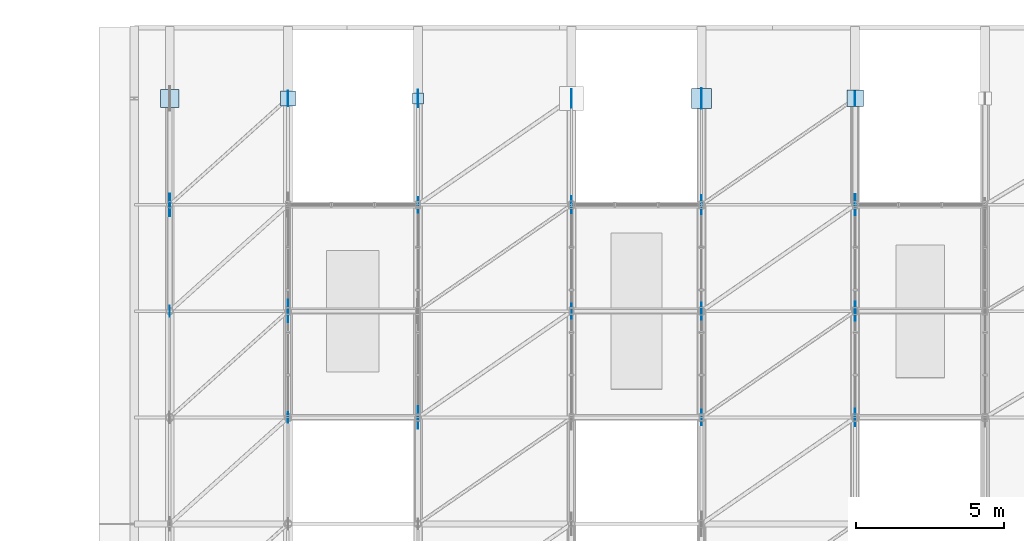
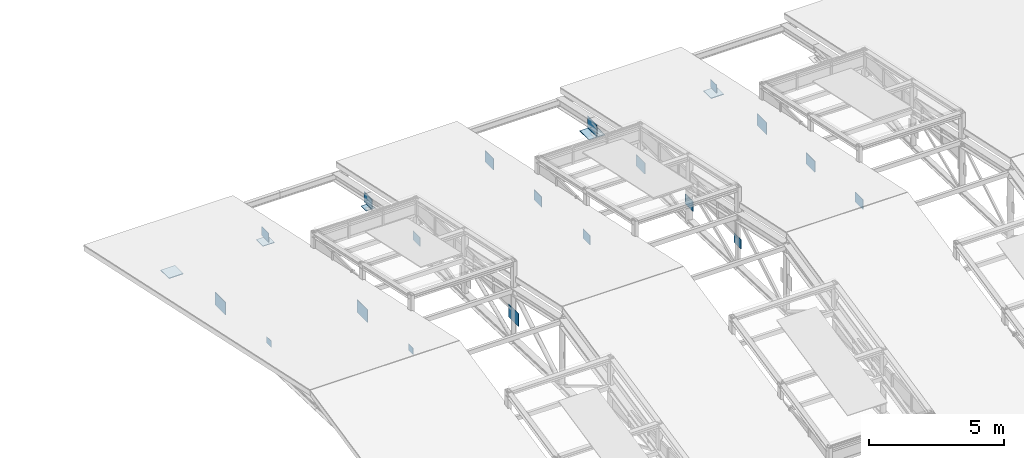
# One storey, part 87 of 124: 24 plates.
"""IFC4 building model written with IfcOpenShell, lengths in metres."""

from ifc_helpers import new_model, si_unit, direction, frame, origin, origin_2d, place, context, subcontext, project, spatial, rectangle, extrude, material, layer, layer_set, type_object, element, save


model = new_model("IFC4")

# Units and contexts
model_context = context("Model", 3, precision=1e-05, world=origin(), true_north=direction((0.0, 1.0)))
body_context = subcontext(model_context, "Body", "Model", "MODEL_VIEW")
ifc_project = project(units=[si_unit("LENGTHUNIT", "METRE"), si_unit("AREAUNIT", "SQUARE_METRE"), si_unit("VOLUMEUNIT", "CUBIC_METRE"), si_unit("PLANEANGLEUNIT", "RADIAN"), si_unit("MASSUNIT", "GRAM", prefix="KILO"), si_unit("THERMODYNAMICTEMPERATUREUNIT", "KELVIN"), si_unit("POWERUNIT", "WATT")], contexts=[model_context])

# Site, building, storey
site_placement = place(None, origin())
site = spatial("IfcSite", under=ifc_project, at=site_placement, CompositionType="ELEMENT")
building_placement = place(site_placement, origin())
building = spatial("IfcBuilding", under=site, at=building_placement, Name="Tavuni Mirador Residences", CompositionType="ELEMENT")
storey_placement = place(building_placement, frame((0.0, 0.0, 7.64990234375)))
storey = spatial("IfcBuildingStorey", under=building, at=storey_placement, Name="L02", CompositionType="ELEMENT", Elevation=7.64990234375)

# Plates
ifc_material = material(Name="Structural steel S355", Category="steel")
ifc_layer_1 = layer(ifc_material, 0.028076171875, Name="Structural steel S355", Category="steel")
ifc_layer_set_1 = layer_set([ifc_layer_1], Name="Structural steel S355")
plate_type_1 = type_object("IfcPlateType", Name="PLT-BP01", PredefinedType="USERDEFINED", material=ifc_layer_set_1)
plate_1_placement = place(storey_placement, frame((58.800048828125, 100.800048828125, -0.65380859375), z_axis=(0.0, 0.0, 1.0), x_axis=(1.0, 0.0, 0.0)))
element("IfcPlate", 1, at=plate_1_placement, inside=storey, type_object=plate_type_1, Name="TR-5-BP-N", ObjectType="BASE PLATE", PredefinedType="USERDEFINED", context=body_context, shape_type="SweptSolid", body=[
    extrude(rectangle(XDim=0.679931640625, YDim=0.679931640625, at=origin_2d()), origin(), (0.0, 0.0, 1.0), 0.028076171875),
])
ifc_layer_2 = layer(ifc_material, 0.02587890625, Name="Structural steel S355", Category="steel")
ifc_layer_set_2 = layer_set([ifc_layer_2], Name="Structural steel S355")
plate_type_2 = type_object("IfcPlateType", Name="PLT-BP02", PredefinedType="USERDEFINED", material=ifc_layer_set_2)
plate_2_placement = place(storey_placement, frame((40.800048828125, 100.800048828125, -0.65283203125), z_axis=(0.0, 0.0, 1.0), x_axis=(1.0, 0.0, 0.0)))
element("IfcPlate", 2, at=plate_2_placement, inside=storey, type_object=plate_type_2, Name="TR-1-BP-N", ObjectType="BASE PLATE", PredefinedType="USERDEFINED", context=body_context, shape_type="SweptSolid", body=[
    extrude(rectangle(XDim=0.6201171875, YDim=0.6201171875, at=origin_2d()), origin(), (0.0, 0.0, 1.0), 0.02587890625),
])
ifc_layer_3 = layer(ifc_material, 0.02490234375, Name="Structural steel S355", Category="steel")
ifc_layer_set_3 = layer_set([ifc_layer_3], Name="Structural steel S355")
plate_type_3 = type_object("IfcPlateType", Name="PLT-BP03", PredefinedType="USERDEFINED", material=ifc_layer_set_3)
plate_3_placement = place(storey_placement, frame((64.0, 100.800048828125, -0.65234375), z_axis=(0.0, 0.0, 1.0), x_axis=(1.0, 0.0, 0.0)))
element("IfcPlate", 3, at=plate_3_placement, inside=storey, type_object=plate_type_3, Name="TR-6-BP-N", ObjectType="BASE PLATE", PredefinedType="USERDEFINED", context=body_context, shape_type="SweptSolid", body=[
    extrude(rectangle(XDim=0.56005859375, YDim=0.56005859375, at=origin_2d()), origin(), (0.0, 0.0, 1.0), 0.02490234375),
])
ifc_layer_4 = layer(ifc_material, 0.02392578125, Name="Structural steel S355", Category="steel")
ifc_layer_set_4 = layer_set([ifc_layer_4], Name="Structural steel S355")
plate_type_4 = type_object("IfcPlateType", Name="PLT-BP04", PredefinedType="USERDEFINED", material=ifc_layer_set_4)
plate_4_placement = place(storey_placement, frame((44.800048828125, 100.800048828125, -0.65185546875), z_axis=(0.0, 0.0, 1.0), x_axis=(1.0, 0.0, 0.0)))
element("IfcPlate", 4, at=plate_4_placement, inside=storey, type_object=plate_type_4, Name="TR-2-BP-N", ObjectType="BASE PLATE", PredefinedType="USERDEFINED", context=body_context, shape_type="SweptSolid", body=[
    extrude(rectangle(XDim=0.5, YDim=0.5, at=origin_2d()), origin(), (0.0, 0.0, 1.0), 0.02392578125),
])
ifc_layer_5 = layer(ifc_material, 0.02001953125, Name="Structural steel S355", Category="steel")
ifc_layer_set_5 = layer_set([ifc_layer_5], Name="Structural steel S355")
plate_type_5 = type_object("IfcPlateType", Name="PLT-BP06", PredefinedType="USERDEFINED", material=ifc_layer_set_5)
plate_5_placement = place(storey_placement, frame((49.199951171875, 100.800048828125, -0.64990234375), z_axis=(0.0, 0.0, 1.0), x_axis=(1.0, 0.0, 0.0)))
element("IfcPlate", 5, at=plate_5_placement, inside=storey, type_object=plate_type_5, Name="TR-3-BP-N", ObjectType="BASE PLATE", PredefinedType="USERDEFINED", context=body_context, shape_type="SweptSolid", body=[
    extrude(rectangle(XDim=0.3798828125, YDim=0.3798828125, at=origin_2d()), origin(), (0.0, 0.0, 1.0), 0.02001953125),
])
ifc_layer_6 = layer(ifc_material, 0.02001953125, Name="Structural steel S355", Category="steel")
ifc_layer_set_6 = layer_set([ifc_layer_6], Name="Structural steel S355")
plate_type_6 = type_object("IfcPlateType", Name="PLT-GP01", PredefinedType="USERDEFINED", material=ifc_layer_set_6)
for number, where, z_axis, x_axis, name in (
    (6, (44.800048828125, 100.800048828125, -0.544921875), (0.0, 0.0, 1.0), (0.0, 1.0, 0.0), "TR-2-GP-08"),
    (7, (49.199951171875, 97.199951171875, -0.094970703125), (0.0, 0.0, 1.0), (0.0, 1.0, 0.0), "TR-3-GP-07"),
    (8, (54.39990234375, 93.60009765625, 0.355224609375), (0.0, 0.0, 1.0), (0.0, 1.0, 0.0), "TR-4-GP-06"),
    (9, (58.800048828125, 90.0, 0.80517578125), (0.0, 0.0, 1.0), (0.0, 1.0, 0.0), "TR-5-GP-05"),
):
    element("IfcPlate", number, at=place(storey_placement, frame(where, z_axis=z_axis, x_axis=x_axis)), inside=storey, type_object=plate_type_6, Name=name, ObjectType="GUSSET PLATE", PredefinedType="USERDEFINED", context=body_context, shape_type="SweptSolid", body=[
        extrude(rectangle(XDim=0.52001953125, YDim=0.02001953125, at=origin_2d()), origin(), (0.0, 0.0, 1.0), 0.419921875),
    ])
ifc_layer_7 = layer(ifc_material, 0.02197265625, Name="Structural steel S355", Category="steel")
ifc_layer_set_7 = layer_set([ifc_layer_7], Name="Structural steel S355")
plate_type_7 = type_object("IfcPlateType", Name="PLT-GP02", PredefinedType="USERDEFINED", material=ifc_layer_set_7)
for number, where, z_axis, x_axis, name in (
    (10, (49.199951171875, 100.800048828125, -0.56494140625), (0.0, 0.0, 1.0), (0.0, 1.0, 0.0), "TR-3-GP-08"),
    (11, (54.39990234375, 97.199951171875, -0.114990234375), (0.0, 0.0, 1.0), (0.0, 1.0, 0.0), "TR-4-GP-07"),
    (12, (58.800048828125, 93.60009765625, 0.335205078125), (0.0, 0.0, 1.0), (0.0, 1.0, 0.0), "TR-5-GP-06"),
    (13, (64.0, 90.0, 0.78515625), (0.0, 0.0, 1.0), (0.0, 1.0, 0.0), "TR-6-GP-05"),
):
    element("IfcPlate", number, at=place(storey_placement, frame(where, z_axis=z_axis, x_axis=x_axis)), inside=storey, type_object=plate_type_7, Name=name, ObjectType="GUSSET PLATE", PredefinedType="USERDEFINED", context=body_context, shape_type="SweptSolid", body=[
        extrude(rectangle(XDim=0.580078125, YDim=0.02197265625, at=origin_2d()), origin(), (0.0, 0.0, 1.0), 0.4599609375),
    ])
ifc_layer_8 = layer(ifc_material, 0.02392578125, Name="Structural steel S355", Category="steel")
ifc_layer_set_8 = layer_set([ifc_layer_8], Name="Structural steel S355")
plate_type_8 = type_object("IfcPlateType", Name="PLT-GP03", PredefinedType="USERDEFINED", material=ifc_layer_set_8)
for number, where, z_axis, x_axis, name in (
    (14, (54.39990234375, 100.800048828125, -0.5849609375), (0.0, 0.0, 1.0), (0.0, 1.0, 0.0), "TR-4-GP-08"),
    (15, (58.800048828125, 97.199951171875, -0.135009765625), (0.0, 0.0, 1.0), (0.0, 1.0, 0.0), "TR-5-GP-07"),
    (16, (64.0, 93.60009765625, 0.315185546875), (0.0, 0.0, 1.0), (0.0, 1.0, 0.0), "TR-6-GP-06"),
):
    element("IfcPlate", number, at=place(storey_placement, frame(where, z_axis=z_axis, x_axis=x_axis)), inside=storey, type_object=plate_type_8, Name=name, ObjectType="GUSSET PLATE", PredefinedType="USERDEFINED", context=body_context, shape_type="SweptSolid", body=[
        extrude(rectangle(XDim=0.639892578125, YDim=0.02392578125, at=origin_2d()), origin(), (0.0, 0.0, 1.0), 0.5),
    ])
ifc_layer_9 = layer(ifc_material, 0.02490234375, Name="Structural steel S355", Category="steel")
ifc_layer_set_9 = layer_set([ifc_layer_9], Name="Structural steel S355")
plate_type_9 = type_object("IfcPlateType", Name="PLT-GP04", PredefinedType="USERDEFINED", material=ifc_layer_set_9)
for number, where, z_axis, x_axis, name in (
    (17, (58.800048828125, 100.800048828125, -0.60498046875), (0.0, 0.0, 1.0), (0.0, 1.0, 0.0), "TR-5-GP-08"),
    (18, (64.0, 97.199951171875, -0.155029296875), (0.0, 0.0, 1.0), (0.0, 1.0, 0.0), "TR-6-GP-07"),
):
    element("IfcPlate", number, at=place(storey_placement, frame(where, z_axis=z_axis, x_axis=x_axis)), inside=storey, type_object=plate_type_9, Name=name, ObjectType="GUSSET PLATE", PredefinedType="USERDEFINED", context=body_context, shape_type="SweptSolid", body=[
        extrude(rectangle(XDim=0.699951171875, YDim=0.02490234375, at=origin_2d()), origin(), (0.0, 0.0, 1.0), 0.5400390625),
    ])
ifc_layer_10 = layer(ifc_material, 0.01806640625, Name="Structural steel S355", Category="steel")
ifc_layer_set_10 = layer_set([ifc_layer_10], Name="Structural steel S355")
plate_type_10 = type_object("IfcPlateType", Name="PLT-GP05", PredefinedType="USERDEFINED", material=ifc_layer_set_10)
plate_6_placement = place(storey_placement, frame((64.0, 100.800048828125, -0.51513671875), z_axis=(0.0, 0.0, 1.0), x_axis=(0.0, 1.0, 0.0)))
element("IfcPlate", 19, at=plate_6_placement, inside=storey, type_object=plate_type_10, Name="TR-6-GP-08", ObjectType="GUSSET PLATE", PredefinedType="USERDEFINED", context=body_context, shape_type="SweptSolid", body=[
    extrude(rectangle(XDim=0.4599609375, YDim=0.01806640625, at=origin_2d()), origin(), (0.0, 0.0, 1.0), 0.360107421875),
])
ifc_layer_11 = layer(ifc_material, 0.014892578125, Name="Structural steel S355", Category="steel")
ifc_layer_set_11 = layer_set([ifc_layer_11], Name="Structural steel S355")
plate_type_11 = type_object("IfcPlateType", Name="PLT-GP07", PredefinedType="USERDEFINED", material=ifc_layer_set_11)
for number, where, z_axis, x_axis, name in (
    (20, (40.800048828125, 93.60009765625, 0.42529296875), (0.0, 0.0, 1.0), (0.0, 1.0, 0.0), "TR-1-GP-06"),
    (21, (44.800048828125, 90.0, 0.875), (0.0, 0.0, 1.0), (0.0, 1.0, 0.0), "TR-2-GP-05"),
):
    element("IfcPlate", number, at=place(storey_placement, frame(where, z_axis=z_axis, x_axis=x_axis)), inside=storey, type_object=plate_type_11, Name=name, ObjectType="GUSSET PLATE", PredefinedType="USERDEFINED", context=body_context, shape_type="SweptSolid", body=[
        extrude(rectangle(XDim=0.360107421875, YDim=0.014892578125, at=origin_2d()), origin(), (0.0, 0.0, 1.0), 0.280029296875),
    ])
ifc_layer_12 = layer(ifc_material, 0.02587890625, Name="Structural steel S355", Category="steel")
ifc_layer_set_12 = layer_set([ifc_layer_12], Name="Structural steel S355")
plate_type_12 = type_object("IfcPlateType", Name="PLT-GP08", PredefinedType="USERDEFINED", material=ifc_layer_set_12)
for number, where, z_axis, x_axis, name in (
    (22, (40.800048828125, 97.199951171875, -0.175048828125), (0.0, 0.0, 1.0), (0.0, 1.0, 0.0), "TR-1-GP-07"),
    (23, (44.800048828125, 93.60009765625, 0.275146484375), (0.0, 0.0, 1.0), (0.0, 1.0, 0.0), "TR-2-GP-06"),
    (24, (49.199951171875, 90.0, 0.72509765625), (0.0, 0.0, 1.0), (0.0, 1.0, 0.0), "TR-3-GP-05"),
):
    element("IfcPlate", number, at=place(storey_placement, frame(where, z_axis=z_axis, x_axis=x_axis)), inside=storey, type_object=plate_type_12, Name=name, ObjectType="GUSSET PLATE", PredefinedType="USERDEFINED", context=body_context, shape_type="SweptSolid", body=[
        extrude(rectangle(XDim=0.760009765625, YDim=0.02587890625, at=origin_2d()), origin(), (0.0, 0.0, 1.0), 0.580078125),
    ])

save(model, "model.ifc")
